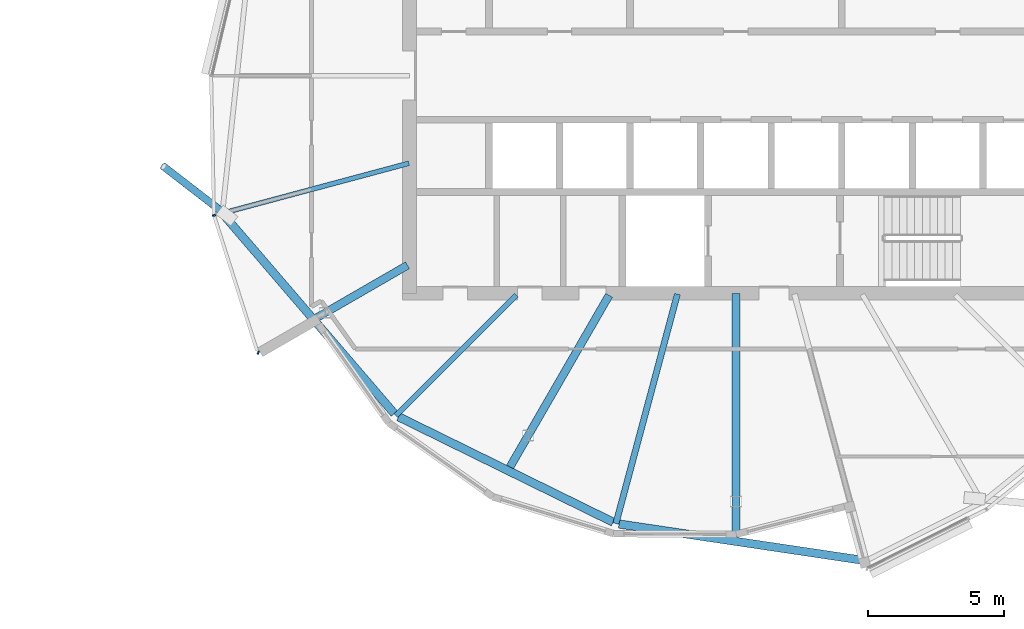
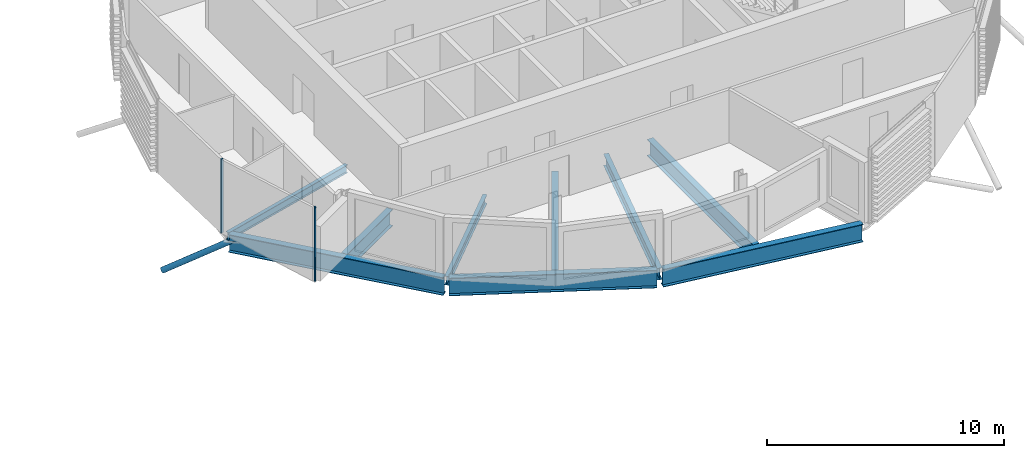
# One storey, part 9 of 33: 9 beams, 3 members, 1 element without a shape of its own.
"""IFC4 building model written with IfcOpenShell, lengths in metres."""

from ifc_helpers import new_model, si_unit, direction, frame, origin, origin_2d, place, context, subcontext, project, spatial, rectangle, hollow_circle, i_section, extrude, clip, halfspace, material, material_profile, profile_set, type_object, element, aggregate, save


model = new_model("IFC4")

# Units and contexts
model_context = context("Model", 3, precision=1e-05, world=origin(), true_north=direction((0.0, 1.0)))
body_context = subcontext(model_context, "Body", "Model", "MODEL_VIEW")
ifc_project = project(units=[si_unit("LENGTHUNIT", "METRE"), si_unit("AREAUNIT", "SQUARE_METRE"), si_unit("VOLUMEUNIT", "CUBIC_METRE"), si_unit("PLANEANGLEUNIT", "RADIAN"), si_unit("MASSUNIT", "GRAM", prefix="KILO")], contexts=[model_context])

# Site, building, storey
site_placement = place(None, origin())
site = spatial("IfcSite", under=ifc_project, at=site_placement, CompositionType="ELEMENT")
building_placement = place(site_placement, origin())
building = spatial("IfcBuilding", under=site, at=building_placement, Name="Rimbun Link Towers", CompositionType="ELEMENT")
storey_placement = place(building_placement, frame((0.0, 0.0, 240.89990234375)))
storey = spatial("IfcBuildingStorey", under=building, at=storey_placement, Name="L59", CompositionType="ELEMENT", Elevation=240.89990234375)

# Curtain wall, members
ifc_material_1 = material(Name="Aluminium 6063-T6 and low-iron glass", Category="aluminium")
curtain_wall_type = type_object("IfcCurtainWallType", Name="CW1-Z4 unitised vision wall (zone 4)", PredefinedType="NOTDEFINED", material=ifc_material_1)
curtain_wall_placement = place(storey_placement, origin())
curtain_wall = element("IfcCurtainWall", 1, at=curtain_wall_placement, inside=storey, type_object=curtain_wall_type, Name="CW1 L59 T2", PredefinedType="NOTDEFINED")
ifc_material_2 = material(Name="Aluminium 6063-T6", Category="aluminium")
ifc_material_profile_1 = material_profile(ifc_material_2, rectangle(XDim=0.1201171875, YDim=0.06005859375, at=origin_2d()), Name="MULLION 60X120")
ifc_profile_set_1 = profile_set([ifc_material_profile_1], Name="Aluminium 6063-T6")
member_type_1 = type_object("IfcMemberType", Name="CW1 mullion 60X120", PredefinedType="MULLION", material=ifc_profile_set_1)
member_1_placement = place(storey_placement, frame((12.560546875, -5.1357421875, 0.0), z_axis=(0.0, 0.0, 1.0), x_axis=(-0.98650195774, -0.163749465266, 0.0)))
member_1 = element("IfcMember", 2, at=member_1_placement, type_object=member_type_1, Name="CW1 mullion", PredefinedType="MULLION", context=body_context, shape_type="SweptSolid", body=[
    extrude(rectangle(XDim=0.1201171875, YDim=0.06005859375, at=origin_2d()), origin(), (0.0, 0.0, 1.0), 3.800048828125),
])
member_2_placement = place(storey_placement, frame((14.1884765625, -10.1826171875, 0.0), z_axis=(0.0, 0.0, 1.0), x_axis=(-0.361275452766, -0.93245913971, 0.0)))
member_2 = element("IfcMember", 3, at=member_2_placement, type_object=member_type_1, Name="CW1 mullion", PredefinedType="MULLION", context=body_context, shape_type="SweptSolid", body=[
    extrude(rectangle(XDim=0.1201171875, YDim=0.06005859375, at=origin_2d()), origin(), (0.0, 0.0, 1.0), 3.800048828125),
])
aggregate(curtain_wall, [member_1, member_2])

# Member
ifc_material_3 = material(Name="Steel S355J2H", Category="steel")
ifc_material_profile_2 = material_profile(ifc_material_3, hollow_circle(Radius=0.136474609375, WallThickness=0.012451171875, at=origin_2d()), Name="CHS 273x12.5")
ifc_profile_set_2 = profile_set([ifc_material_profile_2], Name="Steel S355J2H")
member_type_2 = type_object("IfcMemberType", Name="Floor edge link CHS 273x12.5", PredefinedType="BRACE", material=ifc_profile_set_2)
member_3_placement = place(storey_placement, frame((12.91650390625, -5.04638671875, -0.66259765625), z_axis=(-0.673957356533, 0.520940392299, -0.52383450559), x_axis=(-0.611561547032, -0.791196861844, 0.0)))
element("IfcMember", 4, at=member_3_placement, inside=storey, type_object=member_type_2, Name="Floor edge link T2 L59 10", PredefinedType="BRACE", context=body_context, shape_type="Clipping", body=[
    clip(extrude(hollow_circle(Radius=0.136474609375, WallThickness=0.012451171875, at=origin_2d()), frame((0.0, 0.0, -0.462890625)), (0.0, 0.0, 1.0), 3.7529296875), halfspace(frame((0.0, 0.0, -0.21826171875), z_axis=(0.0, 0.851820057731, -0.52383450559)), False)),
])

# Beams
ifc_material_4 = material(Name="Steel S355J2", Category="steel")
ifc_material_profile_3 = material_profile(ifc_material_4, i_section(OverallWidth=0.177978515625, OverallDepth=0.406494140625, WebThickness=0.0078125, FlangeThickness=0.0126953125, at=origin_2d()), Name="UB 406x178x60")
ifc_profile_set_3 = profile_set([ifc_material_profile_3], Name="Steel S355J2")
beam_type_1 = type_object("IfcBeamType", Name="UB 406x178x60", PredefinedType="BEAM", material=ifc_profile_set_3)
beam_1_placement = place(storey_placement, frame((19.72607421875, -3.2216796875, -0.343017578125), z_axis=(-0.965920881706, -0.258837497832, 0.0), x_axis=(0.258837497832, -0.965920881706, 0.0)))
element("IfcBeam", 5, at=beam_1_placement, inside=storey, type_object=beam_type_1, Name="Radial beam T2 L59 10", PredefinedType="BEAM", context=body_context, shape_type="SweptSolid", body=[
    extrude(i_section(OverallWidth=0.177978515625, OverallDepth=0.406494140625, WebThickness=0.0078125, FlangeThickness=0.0126953125, at=origin_2d()), origin(), (0.0, 0.0, 1.0), 7.099609375),
])
ifc_material_5 = material(Name="Steel S355J2", Category="steel")
ifc_material_profile_4 = material_profile(ifc_material_5, i_section(OverallWidth=0.18994140625, OverallDepth=0.453369140625, WebThickness=0.008544921875, FlangeThickness=0.0126953125, at=origin_2d()), Name="UB 457x191x67")
ifc_profile_set_4 = profile_set([ifc_material_profile_4], Name="Steel S355J2")
beam_type_2 = type_object("IfcBeamType", Name="UB 457x191x67", PredefinedType="BEAM", material=ifc_profile_set_4)
beam_2_placement = place(storey_placement, frame((23.68212890625, -8.06787109375, -0.36669921875), z_axis=(-0.707106781187, -0.707106781187, 0.0), x_axis=(0.707106781187, -0.707106781187, 0.0)))
element("IfcBeam", 6, at=beam_2_placement, inside=storey, type_object=beam_type_2, Name="Radial beam T2 L59 12", PredefinedType="BEAM", context=body_context, shape_type="SweptSolid", body=[
    extrude(i_section(OverallWidth=0.18994140625, OverallDepth=0.453369140625, WebThickness=0.008544921875, FlangeThickness=0.0126953125, at=origin_2d()), origin(), (0.0, 0.0, 1.0), 6.26171875),
])
ifc_material_6 = material(Name="Steel S355J2", Category="steel")
ifc_material_profile_5 = material_profile(ifc_material_6, i_section(OverallWidth=0.2275390625, OverallDepth=0.6025390625, WebThickness=0.010498046875, FlangeThickness=0.014892578125, at=origin_2d()), Name="UB 610x229x101")
ifc_profile_set_5 = profile_set([ifc_material_profile_5], Name="Steel S355J2")
beam_type_3 = type_object("IfcBeamType", Name="UB 610x229x101", PredefinedType="BEAM", material=ifc_profile_set_5)
beam_3_placement = place(storey_placement, frame((29.598388671875, -8.030517578125, -0.441162109375), z_axis=(-0.258847409647, -0.965918225586, 0.0), x_axis=(0.965918225586, -0.258847409647, 0.0)))
element("IfcBeam", 7, at=beam_3_placement, inside=storey, type_object=beam_type_3, Name="Radial beam T2 L59 14", PredefinedType="BEAM", context=body_context, shape_type="SweptSolid", body=[
    extrude(i_section(OverallWidth=0.2275390625, OverallDepth=0.6025390625, WebThickness=0.010498046875, FlangeThickness=0.014892578125, at=origin_2d()), origin(), (0.0, 0.0, 1.0), 8.73291015625),
])
ifc_material_7 = material(Name="Steel S355J2", Category="steel")
ifc_material_profile_6 = material_profile(ifc_material_7, i_section(OverallWidth=0.29248046875, OverallDepth=0.8408203125, WebThickness=0.0126953125, FlangeThickness=0.021728515625, at=origin_2d()), Name="UB 838x292x194")
ifc_profile_set_6 = profile_set([ifc_material_profile_6], Name="Steel S355J2")
beam_type_4 = type_object("IfcBeamType", Name="UB 838x292x194", PredefinedType="BEAM", material=ifc_profile_set_6)
beam_4_placement = place(storey_placement, frame((19.676025390625, -6.970947265625, -0.560302734375), z_axis=(-0.866034918304, -0.499983520007, 0.0), x_axis=(0.499983520007, -0.866034918304, 0.0)))
element("IfcBeam", 8, at=beam_4_placement, inside=storey, type_object=beam_type_4, Name="Radial beam T2 L59 11", PredefinedType="BEAM", context=body_context, shape_type="SweptSolid", body=[
    extrude(i_section(OverallWidth=0.29248046875, OverallDepth=0.8408203125, WebThickness=0.0126953125, FlangeThickness=0.021728515625, at=origin_2d()), origin(), (0.0, 0.0, 1.0), 3.831787109375),
])
beam_5_placement = place(storey_placement, frame((27.08837890625, -8.073974609375, -0.560302734375), z_axis=(-0.499977739203, -0.86603825568, 0.0), x_axis=(0.86603825568, -0.499977739203, 0.0)))
element("IfcBeam", 9, at=beam_5_placement, inside=storey, type_object=beam_type_4, Name="Radial beam T2 L59 13", PredefinedType="BEAM", context=body_context, shape_type="SweptSolid", body=[
    extrude(i_section(OverallWidth=0.29248046875, OverallDepth=0.8408203125, WebThickness=0.0126953125, FlangeThickness=0.021728515625, at=origin_2d()), origin(), (0.0, 0.0, 1.0), 7.284912109375),
])
beam_6_placement = place(storey_placement, frame((31.75, -8.0009765625, -0.560302734375), z_axis=(0.0, -1.0, 0.0), x_axis=(1.0, 0.0, 0.0)))
element("IfcBeam", 10, at=beam_6_placement, inside=storey, type_object=beam_type_4, Name="Radial beam T2 L59 15", PredefinedType="BEAM", context=body_context, shape_type="SweptSolid", body=[
    extrude(i_section(OverallWidth=0.29248046875, OverallDepth=0.8408203125, WebThickness=0.0126953125, FlangeThickness=0.021728515625, at=origin_2d()), origin(), (0.0, 0.0, 1.0), 8.9658203125),
])
ifc_material_8 = material(Name="Steel S355J2", Category="steel")
ifc_material_profile_7 = material_profile(ifc_material_8, i_section(OverallWidth=0.305419921875, OverallDepth=0.91845703125, WebThickness=0.017333984375, FlangeThickness=0.02783203125, at=origin_2d()), Name="UB 914x305x253")
ifc_profile_set_7 = profile_set([ifc_material_profile_7], Name="Steel S355J2")
beam_type_5 = type_object("IfcBeamType", Name="UB 914x305x253", PredefinedType="BEAM", material=ifc_profile_set_7)
beam_7_placement = place(storey_placement, frame((12.933349609375, -5.135009765625, -0.59912109375), z_axis=(0.651498536276, -0.758649891076, 0.0), x_axis=(0.758649891076, 0.651498536276, 0.0)))
element("IfcBeam", 11, at=beam_7_placement, inside=storey, type_object=beam_type_5, Name="Edge beam T2 L59 10-12", PredefinedType="BEAM", context=body_context, shape_type="SweptSolid", body=[
    extrude(i_section(OverallWidth=0.305419921875, OverallDepth=0.91845703125, WebThickness=0.017333984375, FlangeThickness=0.02783203125, at=origin_2d()), origin(), (0.0, 0.0, 1.0), 9.60595703125),
])
beam_8_placement = place(storey_placement, frame((19.34521484375, -12.540283203125, -0.59912109375), z_axis=(0.897582871262, -0.440845765792, 0.0), x_axis=(0.440845765792, 0.897582871262, 0.0)))
element("IfcBeam", 12, at=beam_8_placement, inside=storey, type_object=beam_type_5, Name="Edge beam T2 L59 12-14", PredefinedType="BEAM", context=body_context, shape_type="SweptSolid", body=[
    extrude(i_section(OverallWidth=0.305419921875, OverallDepth=0.91845703125, WebThickness=0.017333984375, FlangeThickness=0.02783203125, at=origin_2d()), origin(), (0.0, 0.0, 1.0), 8.78759765625),
])
beam_9_placement = place(storey_placement, frame((27.452392578125, -16.482666015625, -0.59912109375), z_axis=(0.989110967189, -0.14717165008, 0.0), x_axis=(0.14717165008, 0.989110967189, 0.0)))
element("IfcBeam", 13, at=beam_9_placement, inside=storey, type_object=beam_type_5, Name="Edge beam T2 L59 14-16", PredefinedType="BEAM", context=body_context, shape_type="SweptSolid", body=[
    extrude(i_section(OverallWidth=0.305419921875, OverallDepth=0.91845703125, WebThickness=0.017333984375, FlangeThickness=0.02783203125, at=origin_2d()), origin(), (0.0, 0.0, 1.0), 9.060791015625),
])

save(model, "model.ifc")
